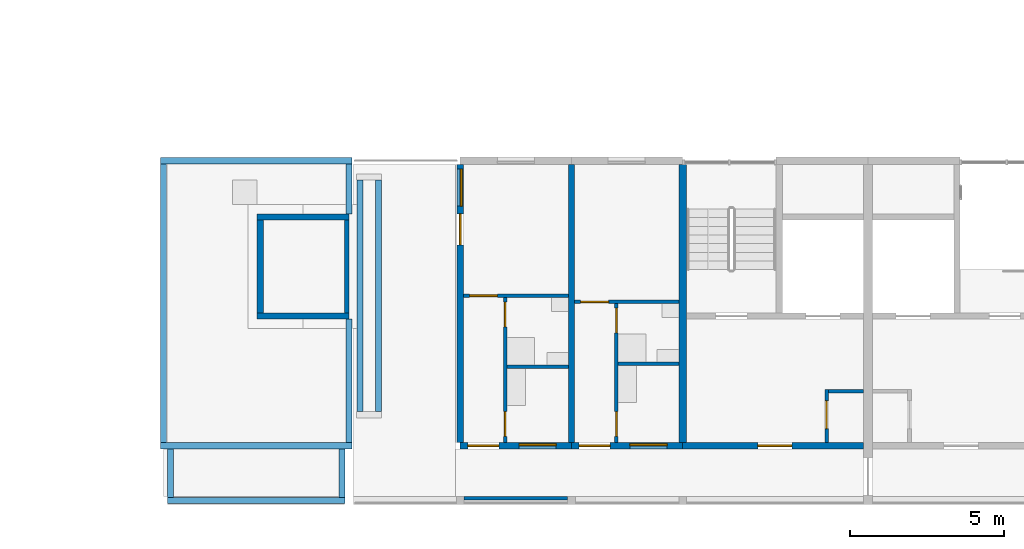
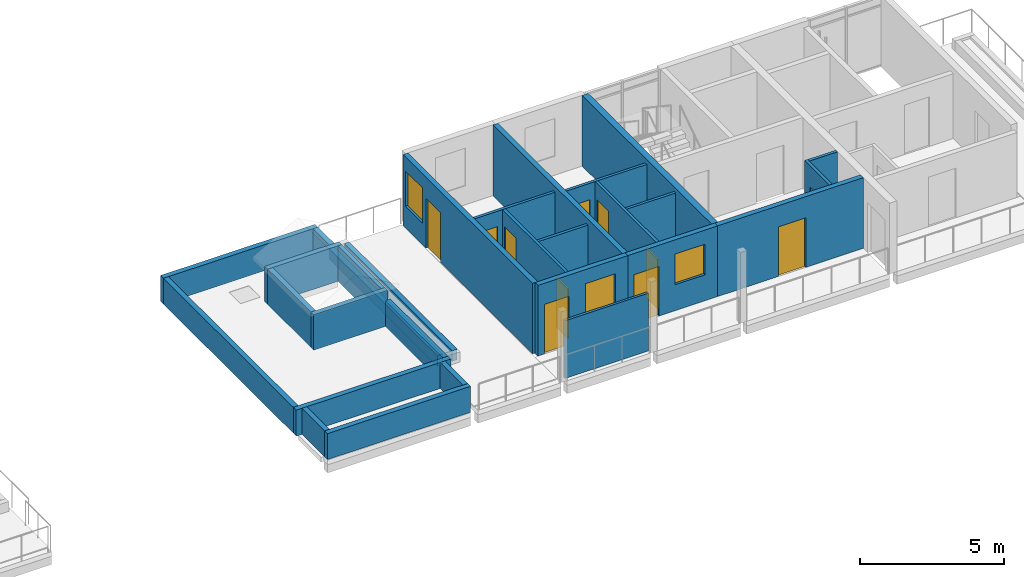
# One storey, part 20 of 41: 29 walls, 11 doors, 3 windows, 14 openings.
"""IFC4 building model written with IfcOpenShell, lengths in metres."""

import ifcopenshell
import ifcopenshell.guid

model = None  # the IFC model being written
_history = None  # IfcOwnerHistory: only IFC2X3 demands one
_inside = {}  # id of a spatial element -> (the spatial element, [elements in it])
_under = {}  # id of a project, library or spatial element -> (it, [spatial elements below it])
_declared = {}  # id of a project -> (the project, [libraries it declares])
_typed = {}  # id of a type object -> (the type object, [elements of that type])
_made_of = {}  # id of a material, layer set ... -> (it, [elements and type objects made of it])


def new_model(schema):
    """Start an empty IFC model of exactly this schema.

    Asked for "IFC4X3", IfcOpenShell would pick the latest addendum, in which some entities
    have other attributes; the version numbers below select the first issue.
    IFC2X3 requires an IfcOwnerHistory on every rooted entity: one is made here for all.
    """
    global model, _history
    if schema == "IFC4X3":
        model = ifcopenshell.file(schema_version=(4, 3, 0, 0))
    else:
        model = ifcopenshell.file(schema=schema)
    _inside.clear()
    _under.clear()
    _declared.clear()
    _typed.clear()
    _made_of.clear()
    _history = None
    if model.schema == "IFC2X3":
        org = make("IfcOrganization", Name="unknown")
        user = make(
            "IfcPersonAndOrganization",
            ThePerson=make("IfcPerson", FamilyName="unknown"),
            TheOrganization=org,
        )
        app = make(
            "IfcApplication",
            ApplicationDeveloper=org,
            Version="unknown",
            ApplicationFullName="unknown",
            ApplicationIdentifier="unknown",
        )
        _history = make(
            "IfcOwnerHistory",
            OwningUser=user,
            OwningApplication=app,
            ChangeAction="ADDED",
            CreationDate=0,
        )
    return model


def make(cls, **values):
    """One entity of the class cls with the attributes given. An attribute that is None is left unset."""
    return model.create_entity(
        cls, **{name: value for name, value in values.items() if value is not None}
    )


def rooted(cls, **values):
    """An entity with a GlobalId (a new one), such as an element, a storey or a relation."""
    return make(cls, GlobalId=ifcopenshell.guid.new(), OwnerHistory=_history, **values)


def si_unit(unit_type, name, prefix=None):
    """IfcSIUnit, for example si_unit("LENGTHUNIT", "METRE", prefix="MILLI")."""
    return make("IfcSIUnit", UnitType=unit_type, Prefix=prefix, Name=name)


def assignment(units):
    """IfcUnitAssignment: the units of a project."""
    return None if units is None else make("IfcUnitAssignment", Units=units)


def point(xyz):
    """IfcCartesianPoint."""
    return None if xyz is None else make("IfcCartesianPoint", Coordinates=xyz)


def direction(xyz):
    """IfcDirection."""
    return None if xyz is None else make("IfcDirection", DirectionRatios=xyz)


def frame(location, z_axis=None, x_axis=None):
    """IfcAxis2Placement3D, a coordinate frame: its origin and axes. An axis left out is left unset."""
    return make(
        "IfcAxis2Placement3D",
        Location=point(location),
        Axis=direction(z_axis),
        RefDirection=direction(x_axis),
    )


def frame_2d(location, x_axis=None):
    """IfcAxis2Placement2D, a coordinate frame in the plane: its origin and x axis."""
    return make(
        "IfcAxis2Placement2D", Location=point(location), RefDirection=direction(x_axis)
    )


def origin():
    """The frame at (0, 0, 0) with its axes left unset."""
    return frame((0.0, 0.0, 0.0))


def place(relative_to, where):
    """IfcLocalPlacement: puts the frame where relative to a parent placement (None: the world)."""
    return make(
        "IfcLocalPlacement", PlacementRelTo=relative_to, RelativePlacement=where
    )


def context(
    kind, dimensions, precision=None, world=None, true_north=None, identifier=None
):
    """IfcGeometricRepresentationContext, for example the 3D "Model" context."""
    return make(
        "IfcGeometricRepresentationContext",
        ContextIdentifier=identifier,
        ContextType=kind,
        CoordinateSpaceDimension=dimensions,
        Precision=precision,
        WorldCoordinateSystem=world,
        TrueNorth=true_north,
    )


def subcontext(parent, identifier, kind, view, scale=None):
    """IfcGeometricRepresentationSubContext, for example "Body" below "Model"."""
    return make(
        "IfcGeometricRepresentationSubContext",
        ContextIdentifier=identifier,
        ContextType=kind,
        ParentContext=parent,
        TargetScale=scale,
        TargetView=view,
    )


def project(units=None, contexts=None):
    """IfcProject with its units and contexts."""
    return rooted(
        "IfcProject",
        Name="project",
        RepresentationContexts=contexts,
        UnitsInContext=assignment(units),
    )


def spatial(cls, under=None, at=None, **own):
    """A site, building, storey or space (cls), placed at a placement, below another one or the project."""
    s = rooted(cls, ObjectPlacement=at, **own)
    if under is not None:
        _under.setdefault(under.id(), (under, []))[1].append(s)
    return s


def profile(cls, at=None, kind="AREA", **sizes):
    """A parametric profile (cls). Its sizes go by their IFC names, for example OverallWidth=200.0."""
    return make(cls, ProfileType=kind, Position=at, **sizes)


def rectangle(**sizes):
    """IfcRectangleProfileDef."""
    return profile("IfcRectangleProfileDef", **sizes)


def extrude(swept, where, along, depth):
    """IfcExtrudedAreaSolid: the profile swept, set in the frame where, extruded along a direction by depth."""
    return make(
        "IfcExtrudedAreaSolid",
        SweptArea=swept,
        Position=where,
        ExtrudedDirection=direction(along),
        Depth=depth,
    )


def shape(context_of_items, identifier, shape_type, items):
    """IfcShapeRepresentation: the items that make up one representation, for example the "Body"."""
    return make(
        "IfcShapeRepresentation",
        ContextOfItems=context_of_items,
        RepresentationIdentifier=identifier,
        RepresentationType=shape_type,
        Items=items,
    )


def material(Name=None, Category=None):
    """IfcMaterial."""
    return make("IfcMaterial", Name=Name, Category=Category)


def layer(
    of_material, thickness, ventilated=None, Name=None, Category=None, Priority=None
):
    """IfcMaterialLayer: one layer of a wall or slab, of a material (None: an air gap)."""
    return make(
        "IfcMaterialLayer",
        Material=of_material,
        LayerThickness=thickness,
        IsVentilated=ventilated,
        Name=Name,
        Category=Category,
        Priority=Priority,
    )


def layer_set(layers, Name=None):
    """IfcMaterialLayerSet."""
    return make("IfcMaterialLayerSet", MaterialLayers=layers, LayerSetName=Name)


def made_of(thing, what):
    """Note that an element or type object is made of a material, layer set ...; save() writes the relation."""
    if what is not None:
        _made_of.setdefault(what.id(), (what, []))[1].append(thing)
    return thing


def type_object(cls, material=None, **own):
    """A type object (cls), such as IfcWallType, which elements share."""
    return made_of(rooted(cls, **own), material)


def element(
    cls,
    number,
    at=None,
    inside=None,
    cuts=None,
    type_object=None,
    material=None,
    context=None,
    identifier="Body",
    shape_type=None,
    held_by="IfcProductDefinitionShape",
    body=None,
    shapes=None,
    **own,
):
    """One element of the class cls, such as IfcWall. Its Tag is "e" and its number.

    at: its placement. inside: the storey or other place that contains it. cuts: it is an
    opening in that element (IfcRelVoidsElement). A single representation is given by context,
    identifier, shape_type and body (its items); several are given by shapes. held_by: the class
    of the entity that holds the representations. save() writes the other relations.
    """
    e = rooted(cls, Tag="e%d" % number, ObjectPlacement=at, **own)
    if body is not None:
        shapes = [shape(context, identifier, shape_type, body)]
    if shapes is not None:
        e.Representation = make(held_by, Representations=shapes)
    if inside is not None:
        _inside.setdefault(inside.id(), (inside, []))[1].append(e)
    if cuts is not None:
        rooted(
            "IfcRelVoidsElement", RelatingBuildingElement=cuts, RelatedOpeningElement=e
        )
    if type_object is not None:
        _typed.setdefault(type_object.id(), (type_object, []))[1].append(e)
    return made_of(e, material)


def fill(opening, filler):
    """IfcRelFillsElement: the door or window that sits in an opening."""
    return rooted(
        "IfcRelFillsElement",
        RelatingOpeningElement=opening,
        RelatedBuildingElement=filler,
    )


def aggregate(whole, parts):
    """IfcRelAggregates: a whole, such as a stair, and the parts it consists of."""
    return rooted("IfcRelAggregates", RelatingObject=whole, RelatedObjects=parts)


def save(model, path):
    """Write the relations noted so far, then the file.

    IfcRelAggregates (storeys below a building ...), IfcRelContainedInSpatialStructure (elements
    in a storey), IfcRelDefinesByType, IfcRelAssociatesMaterial and IfcRelDeclares: one each for
    every whole, place, type object, material and project.
    """
    for whole, parts in _under.values():
        aggregate(whole, parts)
    for where, things in _inside.values():
        rooted(
            "IfcRelContainedInSpatialStructure",
            RelatedElements=things,
            RelatingStructure=where,
        )
    for kind, things in _typed.values():
        rooted("IfcRelDefinesByType", RelatedObjects=things, RelatingType=kind)
    for what, things in _made_of.values():
        rooted("IfcRelAssociatesMaterial", RelatedObjects=things, RelatingMaterial=what)
    for by, libraries in _declared.values():
        rooted("IfcRelDeclares", RelatingContext=by, RelatedDefinitions=libraries)
    model.write(path)


model = new_model("IFC4")

# Units and contexts
model_context = context("Model", 3, precision=1e-05, world=origin(), true_north=direction((0.0, 1.0)))
body_context = subcontext(model_context, "Body", "Model", "MODEL_VIEW")
ifc_project = project(units=[si_unit("LENGTHUNIT", "METRE"), si_unit("AREAUNIT", "SQUARE_METRE"), si_unit("VOLUMEUNIT", "CUBIC_METRE"), si_unit("PLANEANGLEUNIT", "RADIAN"), si_unit("MASSUNIT", "GRAM", prefix="KILO")], contexts=[model_context])

# Site, building, storey
site_placement = place(None, origin())
site = spatial("IfcSite", under=ifc_project, at=site_placement, CompositionType="ELEMENT")
building_placement = place(site_placement, origin())
building = spatial("IfcBuilding", under=site, at=building_placement, Name="Ridgestep Commons", CompositionType="ELEMENT")
storey_placement = place(building_placement, frame((0.0, 0.0, 39.0)))
storey = spatial("IfcBuildingStorey", under=building, at=storey_placement, Name="L13", CompositionType="ELEMENT", Elevation=39.0)

# Wall
ifc_material_1 = material(Name="Concrete C30/37", Category="concrete")
ifc_layer_1 = layer(ifc_material_1, 0.25)
ifc_layer_set_1 = layer_set([ifc_layer_1], Name="Core cross wall 250")
wall_type_1 = type_object("IfcWallType", Name="Core cross wall 250", PredefinedType="SHEAR", material=ifc_layer_set_1)
wall_1_placement = place(storey_placement, frame((90.0, 13.75, 0.0), z_axis=(0.0, 0.0, 1.0), x_axis=(0.0, 1.0, 0.0)))
element("IfcWall", 1, at=wall_1_placement, inside=storey, type_object=wall_type_1, Name="Cross wall A-13-0900", PredefinedType="SHEAR", context=body_context, shape_type="SweptSolid", body=[
    extrude(rectangle(XDim=9.0, YDim=0.25, at=frame_2d((4.5, 0.0))), origin(), (0.0, 0.0, 1.0), 3.0),
])

# Wall, opening, door
ifc_material_2 = material(Name="Concrete C30/37", Category="concrete")
ifc_layer_2 = layer(ifc_material_2, 0.199951171875)
ifc_layer_set_2 = layer_set([ifc_layer_2], Name="Core south wall 200")
wall_type_2 = type_object("IfcWallType", Name="Core south wall 200", PredefinedType="SHEAR", material=ifc_layer_set_2)
wall_2_placement = place(storey_placement, frame((90.0, 13.64990234375, 0.0), z_axis=(0.0, 0.0, 1.0), x_axis=(1.0, 0.0, 0.0)))
wall_2 = element("IfcWall", 2, at=wall_2_placement, inside=storey, type_object=wall_type_2, Name="Core south wall A5C L13", PredefinedType="SHEAR", context=body_context, shape_type="SweptSolid", body=[
    extrude(rectangle(XDim=5.85009765625, YDim=0.199951171875, at=frame_2d((2.925048828125, 0.0))), origin(), (0.0, 0.0, 1.0), 3.0),
])
opening_1_placement = place(wall_2_placement, frame((2.4375, 0.0, 0.0)))
opening_1 = element("IfcOpeningElement", 3, at=opening_1_placement, cuts=wall_2, Name="Opening A5C/13/1", PredefinedType="OPENING", context=body_context, shape_type="SweptSolid", body=[
    extrude(rectangle(XDim=1.10009765625, YDim=2.10009765625, at=frame_2d((0.550048828125, 1.050048828125))), frame((0.0, 0.10986328125, 0.0), z_axis=(0.0, -1.0, 0.0), x_axis=(1.0, 0.0, 0.0)), (0.0, 0.0, 1.0), 0.219970703125),
])
ifc_material_3 = material(Name="Steel fire door", Category="steel")
door_type_1 = type_object("IfcDoorType", Name="Lobby door 1100 x 2100 FD60", OperationType="NOTDEFINED", PredefinedType="DOOR", material=ifc_material_3)
door_1_placement = place(opening_1_placement, origin())
door_1 = element("IfcDoor", 4, at=door_1_placement, inside=storey, type_object=door_type_1, Name="Lobby door A5C/13/1", OperationType="SINGLE_SWING_LEFT", OverallHeight=2.10009765625, OverallWidth=1.10009765625, PredefinedType="DOOR", context=body_context, shape_type="SweptSolid", body=[
    extrude(rectangle(XDim=1.10009765625, YDim=2.10009765625, at=frame_2d((0.550048828125, 1.050048828125))), frame((0.0, 0.02490234375, 0.0), z_axis=(0.0, -1.0, 0.0), x_axis=(1.0, 0.0, 0.0)), (0.0, 0.0, 1.0), 0.050048828125),
])
fill(opening_1, door_1)

ifc_material_4 = material(Name="Concrete C30/37", Category="concrete")
ifc_layer_3 = layer(ifc_material_4, 0.1201171875)
ifc_layer_set_3 = layer_set([ifc_layer_3], Name="Core wall 120")
wall_type_3 = type_object("IfcWallType", Name="Core wall 120", PredefinedType="SHEAR", material=ifc_layer_set_3)
wall_3_placement = place(storey_placement, frame((94.659912109375, 13.75, 0.0), z_axis=(0.0, 0.0, 1.0), x_axis=(0.0, 1.0, 0.0)))
wall_3 = element("IfcWall", 5, at=wall_3_placement, inside=storey, type_object=wall_type_3, Name="Core riser w wall A5C L13", PredefinedType="SHEAR", context=body_context, shape_type="SweptSolid", body=[
    extrude(rectangle(XDim=1.719970703125, YDim=0.1201171875, at=frame_2d((0.85986328125, 0.0))), origin(), (0.0, 0.0, 1.0), 3.0),
])
opening_2_placement = place(wall_3_placement, frame((0.449951171875, 0.0, 0.0)))
opening_2 = element("IfcOpeningElement", 6, at=opening_2_placement, cuts=wall_3, Name="Opening A5C/13/4", PredefinedType="OPENING", context=body_context, shape_type="SweptSolid", body=[
    extrude(rectangle(XDim=0.89990234375, YDim=2.10009765625, at=frame_2d((0.449951171875, 1.050048828125))), frame((0.0, 0.070068359375, 0.0), z_axis=(0.0, -1.0, 0.0), x_axis=(1.0, 0.0, 0.0)), (0.0, 0.0, 1.0), 0.14013671875),
])
ifc_material_5 = material(Name="Steel fire door", Category="steel")
door_type_2 = type_object("IfcDoorType", Name="Riser door 900 x 2100 FD60", OperationType="NOTDEFINED", PredefinedType="DOOR", material=ifc_material_5)
door_2_placement = place(opening_2_placement, origin())
door_2 = element("IfcDoor", 7, at=door_2_placement, inside=storey, type_object=door_type_2, Name="Riser door A5C/13/4", OperationType="SINGLE_SWING_LEFT", OverallHeight=2.10009765625, OverallWidth=0.89990234375, PredefinedType="DOOR", context=body_context, shape_type="SweptSolid", body=[
    extrude(rectangle(XDim=0.89990234375, YDim=2.10009765625, at=frame_2d((0.449951171875, 1.050048828125))), frame((0.0, 0.02490234375, 0.0), z_axis=(0.0, -1.0, 0.0), x_axis=(1.0, 0.0, 0.0)), (0.0, 0.0, 1.0), 0.050048828125),
])
fill(opening_2, door_2)

# Walls
wall_4_placement = place(storey_placement, frame((94.719970703125, 15.409912109375, 0.0), z_axis=(0.0, 0.0, 1.0), x_axis=(1.0, 0.0, 0.0)))
element("IfcWall", 8, at=wall_4_placement, inside=storey, type_object=wall_type_3, Name="Core riser n wall A5C L13", PredefinedType="SHEAR", context=body_context, shape_type="SweptSolid", body=[
    extrude(rectangle(XDim=1.130126953125, YDim=0.1201171875, at=frame_2d((0.56494140625, 0.0))), origin(), (0.0, 0.0, 1.0), 3.0),
])
ifc_material_6 = material(Name="Precast concrete C40/50", Category="concrete")
ifc_layer_4 = layer(ifc_material_6, 0.199951171875)
ifc_layer_set_4 = layer_set([ifc_layer_4], Name="Cross wall 200")
wall_type_4 = type_object("IfcWallType", Name="Cross wall 200", PredefinedType="SHEAR", material=ifc_layer_set_4)
wall_5_placement = place(storey_placement, frame((86.39990234375, 13.75, 0.0), z_axis=(0.0, 0.0, 1.0), x_axis=(0.0, 1.0, 0.0)))
element("IfcWall", 9, at=wall_5_placement, inside=storey, type_object=wall_type_4, Name="Cross wall A-13-0864", PredefinedType="SHEAR", context=body_context, shape_type="SweptSolid", body=[
    extrude(rectangle(XDim=9.0, YDim=0.199951171875, at=frame_2d((4.5, 0.0))), origin(), (0.0, 0.0, 1.0), 3.0),
])

# Wall, openings, window, door
ifc_material_7 = material(Name="Precast concrete C40/50", Category="concrete")
ifc_layer_5 = layer(ifc_material_7, 0.199951171875)
ifc_layer_set_5 = layer_set([ifc_layer_5], Name="Exposed cross wall 200")
wall_type_5 = type_object("IfcWallType", Name="Exposed cross wall 200", PredefinedType="SHEAR", material=ifc_layer_set_5)
wall_6_placement = place(storey_placement, frame((82.800048828125, 13.75, 0.0), z_axis=(0.0, 0.0, 1.0), x_axis=(0.0, 1.0, 0.0)))
wall_6 = element("IfcWall", 10, at=wall_6_placement, inside=storey, type_object=wall_type_5, Name="Cross wall A-13-0828", PredefinedType="SHEAR", context=body_context, shape_type="SweptSolid", body=[
    extrude(rectangle(XDim=9.0, YDim=0.199951171875, at=frame_2d((4.5, 0.0))), origin(), (0.0, 0.0, 1.0), 3.0),
])
opening_3_placement = place(wall_6_placement, frame((7.652587890625, 0.0, 0.89990234375)))
opening_3 = element("IfcOpeningElement", 11, at=opening_3_placement, cuts=wall_6, Name="Opening W10", PredefinedType="OPENING", context=body_context, shape_type="SweptSolid", body=[
    extrude(rectangle(XDim=1.199951171875, YDim=1.5, at=frame_2d((0.60009765625, 0.75))), frame((0.0, 0.10986328125, 0.0), z_axis=(0.0, -1.0, 0.0), x_axis=(1.0, 0.0, 0.0)), (0.0, 0.0, 1.0), 0.219970703125),
])
opening_4_placement = place(wall_6_placement, frame((6.405029296875, 0.0, 0.0)))
opening_4 = element("IfcOpeningElement", 12, at=opening_4_placement, cuts=wall_6, Name="Opening A5-13a/5", PredefinedType="OPENING", context=body_context, shape_type="SweptSolid", body=[
    extrude(rectangle(XDim=1.0, YDim=2.10009765625, at=frame_2d((0.5, 1.050048828125))), frame((0.0, 0.10986328125, 0.0), z_axis=(0.0, -1.0, 0.0), x_axis=(1.0, 0.0, 0.0)), (0.0, 0.0, 1.0), 0.219970703125),
])
ifc_material_8 = material(Name="Aluminium 6063-T6 and glass", Category="aluminium")
window_type_1 = type_object("IfcWindowType", Name="Flat window 1200 x 1500", PartitioningType="SINGLE_PANEL", PredefinedType="WINDOW", material=ifc_material_8)
window_1_placement = place(opening_3_placement, origin())
window_1 = element("IfcWindow", 13, at=window_1_placement, inside=storey, type_object=window_type_1, Name="Window A5-13a 3", OverallHeight=1.5, OverallWidth=1.199951171875, PartitioningType="SINGLE_PANEL", PredefinedType="WINDOW", context=body_context, shape_type="SweptSolid", body=[
    extrude(rectangle(XDim=1.199951171875, YDim=1.5, at=frame_2d((0.60009765625, 0.75))), frame((0.0, 0.0, 0.0), z_axis=(0.0, -1.0, 0.0), x_axis=(1.0, 0.0, 0.0)), (0.0, 0.0, 1.0), 0.06005859375),
])
fill(opening_3, window_1)
ifc_material_9 = material(Name="Aluminium and glass", Category="aluminium")
door_type_3 = type_object("IfcDoorType", Name="Terrace door 1000 x 2100", OperationType="NOTDEFINED", PredefinedType="DOOR", material=ifc_material_9)
door_3_placement = place(opening_4_placement, origin())
door_3 = element("IfcDoor", 14, at=door_3_placement, inside=storey, type_object=door_type_3, Name="Terrace door A5-13a/5", OperationType="SINGLE_SWING_RIGHT", OverallHeight=2.10009765625, OverallWidth=1.0, PredefinedType="DOOR", context=body_context, shape_type="SweptSolid", body=[
    extrude(rectangle(XDim=1.0, YDim=2.10009765625, at=frame_2d((0.5, 1.050048828125))), frame((0.0, 0.02490234375, 0.0), z_axis=(0.0, -1.0, 0.0), x_axis=(1.0, 0.0, 0.0)), (0.0, 0.0, 1.0), 0.050048828125),
])
fill(opening_4, door_3)

# Walls
ifc_material_10 = material(Name="Concrete C30/37", Category="concrete")
ifc_layer_6 = layer(ifc_material_10, 0.14990234375)
ifc_layer_set_6 = layer_set([ifc_layer_6], Name="Lift overrun wall 150")
wall_type_6 = type_object("IfcWallType", Name="Lift overrun wall 150", PredefinedType="SHEAR", material=ifc_layer_set_6)
wall_7_placement = place(storey_placement, frame((79.125, 17.949951171875, 0.0), z_axis=(0.0, 0.0, 1.0), x_axis=(0.0, 1.0, 0.0)))
element("IfcWall", 15, at=wall_7_placement, inside=storey, type_object=wall_type_6, Name="Lift overrun wall A4C", PredefinedType="SHEAR", context=body_context, shape_type="SweptSolid", body=[
    extrude(rectangle(XDim=3.0, YDim=0.14990234375, at=frame_2d((1.5, 0.0))), origin(), (0.0, 0.0, 1.0), 1.5),
])
ifc_material_11 = material(Name="Concrete C30/37", Category="concrete")
ifc_layer_7 = layer(ifc_material_11, 0.199951171875)
ifc_layer_set_7 = layer_set([ifc_layer_7], Name="Lift overrun wall 200")
wall_type_7 = type_object("IfcWallType", Name="Lift overrun wall 200", PredefinedType="SHEAR", material=ifc_layer_set_7)
for number, where, z_axis, x_axis, name in (
    (16, (76.22509765625, 17.85009765625, 0.0), (0.0, 0.0, 1.0), (1.0, 0.0, 0.0), "Lift overrun wall A4C"),
    (17, (76.22509765625, 21.050048828125, 0.0), (0.0, 0.0, 1.0), (1.0, 0.0, 0.0), "Lift overrun wall A4C"),
):
    element("IfcWall", number, at=place(storey_placement, frame(where, z_axis=z_axis, x_axis=x_axis)), inside=storey, type_object=wall_type_7, Name=name, PredefinedType="SHEAR", context=body_context, shape_type="SweptSolid", body=[
        extrude(rectangle(XDim=2.974853515625, YDim=0.199951171875, at=frame_2d((1.4873046875, 0.0))), origin(), (0.0, 0.0, 1.0), 1.5),
    ])
wall_8_placement = place(storey_placement, frame((76.324951171875, 17.949951171875, 0.0), z_axis=(0.0, 0.0, 1.0), x_axis=(0.0, 1.0, 0.0)))
element("IfcWall", 18, at=wall_8_placement, inside=storey, type_object=wall_type_7, Name="Lift overrun wall A4C", PredefinedType="SHEAR", context=body_context, shape_type="SweptSolid", body=[
    extrude(rectangle(XDim=3.0, YDim=0.199951171875, at=frame_2d((1.5, 0.0))), origin(), (0.0, 0.0, 1.0), 1.5),
])
ifc_material_12 = material(Name="Precast concrete C40/50", Category="concrete")
ifc_layer_8 = layer(ifc_material_12, 0.199951171875)
ifc_layer_set_8 = layer_set([ifc_layer_8], Name="Parapet wall 200")
wall_type_8 = type_object("IfcWallType", Name="Parapet wall 200", PredefinedType="PARAPET", material=ifc_layer_set_8)
for number, where, z_axis, x_axis, name in (
    (19, (73.10009765625, 22.875, 0.0), (0.0, 0.0, 1.0), (1.0, 0.0, 0.0), "Parapet A4C north"),
    (20, (73.10009765625, 13.64990234375, 0.0), (0.0, 0.0, 1.0), (1.0, 0.0, 0.0), "Parapet A4C south"),
):
    element("IfcWall", number, at=place(storey_placement, frame(where, z_axis=z_axis, x_axis=x_axis)), inside=storey, type_object=wall_type_8, Name=name, PredefinedType="PARAPET", context=body_context, shape_type="SweptSolid", body=[
        extrude(rectangle(XDim=6.199951171875, YDim=0.199951171875, at=frame_2d((3.10009765625, 0.0))), origin(), (0.0, 0.0, 1.0), 1.10009765625),
    ])
wall_9_placement = place(storey_placement, frame((73.199951171875, 13.75, 0.0), z_axis=(0.0, 0.0, 1.0), x_axis=(0.0, 1.0, 0.0)))
element("IfcWall", 21, at=wall_9_placement, inside=storey, type_object=wall_type_8, Name="Parapet A4C west", PredefinedType="PARAPET", context=body_context, shape_type="SweptSolid", body=[
    extrude(rectangle(XDim=9.02490234375, YDim=0.199951171875, at=frame_2d((4.512451171875, 0.0))), origin(), (0.0, 0.0, 1.0), 1.10009765625),
])
wall_10_placement = place(storey_placement, frame((79.199951171875, 13.75, 0.0), z_axis=(0.0, 0.0, 1.0), x_axis=(0.0, 1.0, 0.0)))
element("IfcWall", 22, at=wall_10_placement, inside=storey, type_object=wall_type_8, Name="Parapet A4C east", PredefinedType="PARAPET", context=body_context, shape_type="SweptSolid", body=[
    extrude(rectangle(XDim=4.0, YDim=0.199951171875, at=frame_2d((2.0, 0.0))), origin(), (0.0, 0.0, 1.0), 1.10009765625),
])
wall_11_placement = place(storey_placement, frame((79.199951171875, 21.14990234375, 0.0), z_axis=(0.0, 0.0, 1.0), x_axis=(0.0, 1.0, 0.0)))
element("IfcWall", 23, at=wall_11_placement, inside=storey, type_object=wall_type_8, Name="Parapet A4C east", PredefinedType="PARAPET", context=body_context, shape_type="SweptSolid", body=[
    extrude(rectangle(XDim=1.625, YDim=0.199951171875, at=frame_2d((0.8125, 0.0))), origin(), (0.0, 0.0, 1.0), 1.10009765625),
])
wall_12_placement = place(storey_placement, frame((73.324951171875, 11.875, 0.0), z_axis=(0.0, 0.0, 1.0), x_axis=(1.0, 0.0, 0.0)))
element("IfcWall", 24, at=wall_12_placement, inside=storey, type_object=wall_type_8, Name="Parapet A4C gallery south", PredefinedType="PARAPET", context=body_context, shape_type="SweptSolid", body=[
    extrude(rectangle(XDim=5.75, YDim=0.199951171875, at=frame_2d((2.875, 0.0))), origin(), (0.0, 0.0, 1.0), 1.10009765625),
])
for number, where, z_axis, x_axis, name in (
    (25, (73.425048828125, 11.97509765625, 0.0), (0.0, 0.0, 1.0), (0.0, 1.0, 0.0), "Parapet A4C gallery west"),
    (26, (78.97509765625, 11.97509765625, 0.0), (0.0, 0.0, 1.0), (0.0, 1.0, 0.0), "Parapet A4C gallery east"),
):
    element("IfcWall", number, at=place(storey_placement, frame(where, z_axis=z_axis, x_axis=x_axis)), inside=storey, type_object=wall_type_8, Name=name, PredefinedType="PARAPET", context=body_context, shape_type="SweptSolid", body=[
        extrude(rectangle(XDim=1.574951171875, YDim=0.199951171875, at=frame_2d((0.78759765625, 0.0))), origin(), (0.0, 0.0, 1.0), 1.10009765625),
    ])

# Wall, openings, doors
ifc_material_13 = material(Name="Common brick 110 mm", Category="masonry")
ifc_layer_9 = layer(ifc_material_13, 0.110107421875)
ifc_layer_set_9 = layer_set([ifc_layer_9], Name="Partition 110")
wall_type_9 = type_object("IfcWallType", Name="Partition 110", PredefinedType="PARTITIONING", material=ifc_layer_set_9)
wall_13_placement = place(storey_placement, frame((84.2548828125, 13.75, 0.0), z_axis=(0.0, 0.0, 1.0), x_axis=(0.0, 1.0, 0.0)))
wall_13 = element("IfcWall", 27, at=wall_13_placement, inside=storey, type_object=wall_type_9, Name="Partition A5-13a", PredefinedType="PARTITIONING", context=body_context, shape_type="SweptSolid", body=[
    extrude(rectangle(XDim=4.699951171875, YDim=0.110107421875, at=frame_2d((2.35009765625, 0.0))), origin(), (0.0, 0.0, 1.0), 2.75),
])
opening_5_placement = place(wall_13_placement, frame((0.199951171875, 0.0, 0.0)))
opening_5 = element("IfcOpeningElement", 28, at=opening_5_placement, cuts=wall_13, Name="Opening A5-13a/2", PredefinedType="OPENING", context=body_context, shape_type="SweptSolid", body=[
    extrude(rectangle(XDim=0.800048828125, YDim=2.10009765625, at=frame_2d((0.39990234375, 1.050048828125))), frame((0.0, 0.06494140625, 0.0), z_axis=(0.0, -1.0, 0.0), x_axis=(1.0, 0.0, 0.0)), (0.0, 0.0, 1.0), 0.130126953125),
])
opening_6_placement = place(wall_13_placement, frame((3.75, 0.0, 0.0)))
opening_6 = element("IfcOpeningElement", 29, at=opening_6_placement, cuts=wall_13, Name="Opening A5-13a/3", PredefinedType="OPENING", context=body_context, shape_type="SweptSolid", body=[
    extrude(rectangle(XDim=0.800048828125, YDim=2.10009765625, at=frame_2d((0.39990234375, 1.050048828125))), frame((0.0, 0.06494140625, 0.0), z_axis=(0.0, -1.0, 0.0), x_axis=(1.0, 0.0, 0.0)), (0.0, 0.0, 1.0), 0.130126953125),
])
ifc_material_14 = material(Name="Timber door leaf", Category="wood")
door_type_4 = type_object("IfcDoorType", Name="Internal door 800 x 2100", OperationType="NOTDEFINED", PredefinedType="DOOR", material=ifc_material_14)
door_4_placement = place(opening_5_placement, origin())
door_4 = element("IfcDoor", 30, at=door_4_placement, inside=storey, type_object=door_type_4, Name="Internal door A5-13a/2", OperationType="SINGLE_SWING_RIGHT", OverallHeight=2.10009765625, OverallWidth=0.800048828125, PredefinedType="DOOR", context=body_context, shape_type="SweptSolid", body=[
    extrude(rectangle(XDim=0.800048828125, YDim=2.10009765625, at=frame_2d((0.39990234375, 1.050048828125))), frame((0.0, 0.02490234375, 0.0), z_axis=(0.0, -1.0, 0.0), x_axis=(1.0, 0.0, 0.0)), (0.0, 0.0, 1.0), 0.050048828125),
])
fill(opening_5, door_4)
door_5_placement = place(opening_6_placement, origin())
door_5 = element("IfcDoor", 31, at=door_5_placement, inside=storey, type_object=door_type_4, Name="Internal door A5-13a/3", OperationType="SINGLE_SWING_LEFT", OverallHeight=2.10009765625, OverallWidth=0.800048828125, PredefinedType="DOOR", context=body_context, shape_type="SweptSolid", body=[
    extrude(rectangle(XDim=0.800048828125, YDim=2.10009765625, at=frame_2d((0.39990234375, 1.050048828125))), frame((0.0, 0.02490234375, 0.0), z_axis=(0.0, -1.0, 0.0), x_axis=(1.0, 0.0, 0.0)), (0.0, 0.0, 1.0), 0.050048828125),
])
fill(opening_6, door_5)

# Wall
wall_14_placement = place(storey_placement, frame((84.31005859375, 16.205078125, 0.0), z_axis=(0.0, 0.0, 1.0), x_axis=(1.0, 0.0, 0.0)))
element("IfcWall", 32, at=wall_14_placement, inside=storey, type_object=wall_type_9, Name="Partition A5-13a", PredefinedType="PARTITIONING", context=body_context, shape_type="SweptSolid", body=[
    extrude(rectangle(XDim=1.989990234375, YDim=0.110107421875, at=frame_2d((0.9951171875, 0.0))), origin(), (0.0, 0.0, 1.0), 2.75),
])

# Wall, opening, door
wall_15_placement = place(storey_placement, frame((82.89990234375, 18.5048828125, 0.0), z_axis=(0.0, 0.0, 1.0), x_axis=(1.0, 0.0, 0.0)))
wall_15 = element("IfcWall", 33, at=wall_15_placement, inside=storey, type_object=wall_type_9, Name="Partition A5-13a", PredefinedType="PARTITIONING", context=body_context, shape_type="SweptSolid", body=[
    extrude(rectangle(XDim=3.400146484375, YDim=0.110107421875, at=frame_2d((1.7001953125, 0.0))), origin(), (0.0, 0.0, 1.0), 2.75),
])
opening_7_placement = place(wall_15_placement, frame((0.199951171875, 0.0, 0.0)))
opening_7 = element("IfcOpeningElement", 34, at=opening_7_placement, cuts=wall_15, Name="Opening A5-13a/4", PredefinedType="OPENING", context=body_context, shape_type="SweptSolid", body=[
    extrude(rectangle(XDim=0.89990234375, YDim=2.10009765625, at=frame_2d((0.449951171875, 1.050048828125))), frame((0.0, 0.06494140625, 0.0), z_axis=(0.0, -1.0, 0.0), x_axis=(1.0, 0.0, 0.0)), (0.0, 0.0, 1.0), 0.130126953125),
])
ifc_material_15 = material(Name="Timber door leaf", Category="wood")
door_type_5 = type_object("IfcDoorType", Name="Internal door 900 x 2100", OperationType="NOTDEFINED", PredefinedType="DOOR", material=ifc_material_15)
door_6_placement = place(opening_7_placement, origin())
door_6 = element("IfcDoor", 35, at=door_6_placement, inside=storey, type_object=door_type_5, Name="Internal door A5-13a/4", OperationType="SINGLE_SWING_LEFT", OverallHeight=2.10009765625, OverallWidth=0.89990234375, PredefinedType="DOOR", context=body_context, shape_type="SweptSolid", body=[
    extrude(rectangle(XDim=0.89990234375, YDim=2.10009765625, at=frame_2d((0.449951171875, 1.050048828125))), frame((0.0, 0.02490234375, 0.0), z_axis=(0.0, -1.0, 0.0), x_axis=(1.0, 0.0, 0.0)), (0.0, 0.0, 1.0), 0.050048828125),
])
fill(opening_7, door_6)

# Wall, openings, doors
wall_16_placement = place(storey_placement, frame((87.85498046875, 13.75, 0.0), z_axis=(0.0, 0.0, 1.0), x_axis=(0.0, 1.0, 0.0)))
wall_16 = element("IfcWall", 36, at=wall_16_placement, inside=storey, type_object=wall_type_9, Name="Partition A5-13b", PredefinedType="PARTITIONING", context=body_context, shape_type="SweptSolid", body=[
    extrude(rectangle(XDim=4.5, YDim=0.110107421875, at=frame_2d((2.25, 0.0))), origin(), (0.0, 0.0, 1.0), 2.800048828125),
])
opening_8_placement = place(wall_16_placement, frame((0.199951171875, 0.0, 0.0)))
opening_8 = element("IfcOpeningElement", 37, at=opening_8_placement, cuts=wall_16, Name="Opening A5-13b/2", PredefinedType="OPENING", context=body_context, shape_type="SweptSolid", body=[
    extrude(rectangle(XDim=0.800048828125, YDim=2.10009765625, at=frame_2d((0.39990234375, 1.050048828125))), frame((0.0, 0.06494140625, 0.0), z_axis=(0.0, -1.0, 0.0), x_axis=(1.0, 0.0, 0.0)), (0.0, 0.0, 1.0), 0.130126953125),
])
opening_9_placement = place(wall_16_placement, frame((3.550048828125, 0.0, 0.0)))
opening_9 = element("IfcOpeningElement", 38, at=opening_9_placement, cuts=wall_16, Name="Opening A5-13b/3", PredefinedType="OPENING", context=body_context, shape_type="SweptSolid", body=[
    extrude(rectangle(XDim=0.800048828125, YDim=2.10009765625, at=frame_2d((0.39990234375, 1.050048828125))), frame((0.0, 0.06494140625, 0.0), z_axis=(0.0, -1.0, 0.0), x_axis=(1.0, 0.0, 0.0)), (0.0, 0.0, 1.0), 0.130126953125),
])
door_7_placement = place(opening_8_placement, origin())
door_7 = element("IfcDoor", 39, at=door_7_placement, inside=storey, type_object=door_type_4, Name="Internal door A5-13b/2", OperationType="SINGLE_SWING_RIGHT", OverallHeight=2.10009765625, OverallWidth=0.800048828125, PredefinedType="DOOR", context=body_context, shape_type="SweptSolid", body=[
    extrude(rectangle(XDim=0.800048828125, YDim=2.10009765625, at=frame_2d((0.39990234375, 1.050048828125))), frame((0.0, 0.02490234375, 0.0), z_axis=(0.0, -1.0, 0.0), x_axis=(1.0, 0.0, 0.0)), (0.0, 0.0, 1.0), 0.050048828125),
])
fill(opening_8, door_7)
door_8_placement = place(opening_9_placement, origin())
door_8 = element("IfcDoor", 40, at=door_8_placement, inside=storey, type_object=door_type_4, Name="Internal door A5-13b/3", OperationType="SINGLE_SWING_LEFT", OverallHeight=2.10009765625, OverallWidth=0.800048828125, PredefinedType="DOOR", context=body_context, shape_type="SweptSolid", body=[
    extrude(rectangle(XDim=0.800048828125, YDim=2.10009765625, at=frame_2d((0.39990234375, 1.050048828125))), frame((0.0, 0.02490234375, 0.0), z_axis=(0.0, -1.0, 0.0), x_axis=(1.0, 0.0, 0.0)), (0.0, 0.0, 1.0), 0.050048828125),
])
fill(opening_9, door_8)

# Wall
wall_17_placement = place(storey_placement, frame((87.909912109375, 16.304931640625, 0.0), z_axis=(0.0, 0.0, 1.0), x_axis=(1.0, 0.0, 0.0)))
element("IfcWall", 41, at=wall_17_placement, inside=storey, type_object=wall_type_9, Name="Partition A5-13b", PredefinedType="PARTITIONING", context=body_context, shape_type="SweptSolid", body=[
    extrude(rectangle(XDim=1.965087890625, YDim=0.110107421875, at=frame_2d((0.982421875, 0.0))), origin(), (0.0, 0.0, 1.0), 2.800048828125),
])

# Wall, opening, door
wall_18_placement = place(storey_placement, frame((86.5, 18.304931640625, 0.0), z_axis=(0.0, 0.0, 1.0), x_axis=(1.0, 0.0, 0.0)))
wall_18 = element("IfcWall", 42, at=wall_18_placement, inside=storey, type_object=wall_type_9, Name="Partition A5-13b", PredefinedType="PARTITIONING", context=body_context, shape_type="SweptSolid", body=[
    extrude(rectangle(XDim=3.375, YDim=0.110107421875, at=frame_2d((1.6875, 0.0))), origin(), (0.0, 0.0, 1.0), 2.800048828125),
])
opening_10_placement = place(wall_18_placement, frame((0.199951171875, 0.0, 0.0)))
opening_10 = element("IfcOpeningElement", 43, at=opening_10_placement, cuts=wall_18, Name="Opening A5-13b/4", PredefinedType="OPENING", context=body_context, shape_type="SweptSolid", body=[
    extrude(rectangle(XDim=0.89990234375, YDim=2.10009765625, at=frame_2d((0.449951171875, 1.050048828125))), frame((0.0, 0.06494140625, 0.0), z_axis=(0.0, -1.0, 0.0), x_axis=(1.0, 0.0, 0.0)), (0.0, 0.0, 1.0), 0.130126953125),
])
door_9_placement = place(opening_10_placement, origin())
door_9 = element("IfcDoor", 44, at=door_9_placement, inside=storey, type_object=door_type_5, Name="Internal door A5-13b/4", OperationType="SINGLE_SWING_RIGHT", OverallHeight=2.10009765625, OverallWidth=0.89990234375, PredefinedType="DOOR", context=body_context, shape_type="SweptSolid", body=[
    extrude(rectangle(XDim=0.89990234375, YDim=2.10009765625, at=frame_2d((0.449951171875, 1.050048828125))), frame((0.0, 0.02490234375, 0.0), z_axis=(0.0, -1.0, 0.0), x_axis=(1.0, 0.0, 0.0)), (0.0, 0.0, 1.0), 0.050048828125),
])
fill(opening_10, door_9)

# Walls
ifc_material_16 = material(Name="Precast concrete C30/37", Category="concrete")
ifc_layer_10 = layer(ifc_material_16, 0.10009765625)
ifc_layer_set_10 = layer_set([ifc_layer_10], Name="Perforated gallery screen 3350 x 2450 x 100")
wall_type_10 = type_object("IfcWallType", Name="Perforated gallery screen 3350 x 2450 x 100", PredefinedType="SOLIDWALL", material=ifc_layer_set_10)
wall_19_placement = place(storey_placement, frame((82.925048828125, 11.949951171875, 0.0), z_axis=(0.0, 0.0, 1.0), x_axis=(1.0, 0.0, 0.0)))
element("IfcWall", 45, at=wall_19_placement, inside=storey, type_object=wall_type_10, Name="Gallery screen A5T2 13", PredefinedType="SOLIDWALL", context=body_context, shape_type="SweptSolid", body=[
    extrude(rectangle(XDim=3.349853515625, YDim=0.10009765625, at=frame_2d((1.6748046875, 0.0))), origin(), (0.0, 0.0, 1.0), 2.449951171875),
])
ifc_material_17 = material(Name="Facing brick", Category="masonry")
ifc_layer_11 = layer(ifc_material_17, 0.199951171875)
ifc_layer_set_11 = layer_set([ifc_layer_11], Name="Planter wall 200")
wall_type_11 = type_object("IfcWallType", Name="Planter wall 200", PredefinedType="SOLIDWALL", material=ifc_layer_set_11)
for number, where, z_axis, x_axis, name in (
    (46, (79.550048828125, 14.75, 0.010009765625), (0.0, 0.0, 1.0), (0.0, 1.0, 0.0), "Planter wall A5R1W"),
    (47, (80.14990234375, 14.75, 0.010009765625), (0.0, 0.0, 1.0), (0.0, 1.0, 0.0), "Planter wall A5R1E"),
):
    element("IfcWall", number, at=place(storey_placement, frame(where, z_axis=z_axis, x_axis=x_axis)), inside=storey, type_object=wall_type_11, Name=name, PredefinedType="SOLIDWALL", context=body_context, shape_type="SweptSolid", body=[
        extrude(rectangle(XDim=7.5, YDim=0.199951171875, at=frame_2d((3.75, 0.0))), origin(), (0.0, 0.0, 1.0), 0.449951171875),
    ])

# Wall, openings, door, window
ifc_material_18 = material(Name="Precast concrete C40/50", Category="concrete")
ifc_layer_12 = layer(ifc_material_18, 0.199951171875)
ifc_layer_set_12 = layer_set([ifc_layer_12], Name="South facade panel 200")
wall_type_12 = type_object("IfcWallType", Name="South facade panel 200", PredefinedType="SOLIDWALL", material=ifc_layer_set_12)
wall_20_placement = place(storey_placement, frame((82.800048828125, 13.64990234375, 0.0), z_axis=(0.0, 0.0, 1.0), x_axis=(1.0, 0.0, 0.0)))
wall_20 = element("IfcWall", 48, at=wall_20_placement, inside=storey, type_object=wall_type_12, Name="South panel A5T2 L13", PredefinedType="SOLIDWALL", context=body_context, shape_type="SweptSolid", body=[
    extrude(rectangle(XDim=3.599853515625, YDim=0.199951171875, at=frame_2d((1.7998046875, 0.0))), origin(), (0.0, 0.0, 1.0), 3.0),
])
opening_11_placement = place(wall_20_placement, frame((1.905029296875, 0.0, 1.10009765625)))
opening_11 = element("IfcOpeningElement", 49, at=opening_11_placement, cuts=wall_20, Name="Opening W08", PredefinedType="OPENING", context=body_context, shape_type="SweptSolid", body=[
    extrude(rectangle(XDim=1.199951171875, YDim=1.300048828125, at=frame_2d((0.60009765625, 0.64990234375))), frame((0.0, 0.10986328125, 0.0), z_axis=(0.0, -1.0, 0.0), x_axis=(1.0, 0.0, 0.0)), (0.0, 0.0, 1.0), 0.219970703125),
])
opening_12_placement = place(wall_20_placement, frame((0.25, 0.0, 0.0)))
opening_12 = element("IfcOpeningElement", 50, at=opening_12_placement, cuts=wall_20, Name="Opening A5-13a/1", PredefinedType="OPENING", context=body_context, shape_type="SweptSolid", body=[
    extrude(rectangle(XDim=1.0, YDim=2.10009765625, at=frame_2d((0.5, 1.050048828125))), frame((0.0, 0.10986328125, 0.0), z_axis=(0.0, -1.0, 0.0), x_axis=(1.0, 0.0, 0.0)), (0.0, 0.0, 1.0), 0.219970703125),
])
ifc_material_19 = material(Name="Timber door leaf", Category="wood")
door_type_6 = type_object("IfcDoorType", Name="Flat entrance door 1000 x 2100 FD30S", OperationType="NOTDEFINED", PredefinedType="DOOR", material=ifc_material_19)
door_10_placement = place(opening_12_placement, origin())
door_10 = element("IfcDoor", 51, at=door_10_placement, inside=storey, type_object=door_type_6, Name="Flat entrance door A5-13a/1", OperationType="SINGLE_SWING_LEFT", OverallHeight=2.10009765625, OverallWidth=1.0, PredefinedType="DOOR", context=body_context, shape_type="SweptSolid", body=[
    extrude(rectangle(XDim=1.0, YDim=2.10009765625, at=frame_2d((0.5, 1.050048828125))), frame((0.0, 0.02490234375, 0.0), z_axis=(0.0, -1.0, 0.0), x_axis=(1.0, 0.0, 0.0)), (0.0, 0.0, 1.0), 0.050048828125),
])
fill(opening_12, door_10)
ifc_material_20 = material(Name="Aluminium 6063-T6 and glass", Category="aluminium")
window_type_2 = type_object("IfcWindowType", Name="Flat window 1200 x 1300", PartitioningType="SINGLE_PANEL", PredefinedType="WINDOW", material=ifc_material_20)
window_2_placement = place(opening_11_placement, origin())
window_2 = element("IfcWindow", 52, at=window_2_placement, inside=storey, type_object=window_type_2, Name="Window A5-13a 1", OverallHeight=1.300048828125, OverallWidth=1.199951171875, PartitioningType="SINGLE_PANEL", PredefinedType="WINDOW", context=body_context, shape_type="SweptSolid", body=[
    extrude(rectangle(XDim=1.199951171875, YDim=1.300048828125, at=frame_2d((0.60009765625, 0.64990234375))), frame((0.0, 0.06005859375, 0.0), z_axis=(0.0, -1.0, 0.0), x_axis=(1.0, 0.0, 0.0)), (0.0, 0.0, 1.0), 0.06005859375),
])
fill(opening_11, window_2)

wall_21_placement = place(storey_placement, frame((86.39990234375, 13.64990234375, 0.0), z_axis=(0.0, 0.0, 1.0), x_axis=(1.0, 0.0, 0.0)))
wall_21 = element("IfcWall", 53, at=wall_21_placement, inside=storey, type_object=wall_type_12, Name="South panel A5T3 L13", PredefinedType="SOLIDWALL", context=body_context, shape_type="SweptSolid", body=[
    extrude(rectangle(XDim=3.60009765625, YDim=0.199951171875, at=frame_2d((1.800048828125, 0.0))), origin(), (0.0, 0.0, 1.0), 3.0),
])
opening_13_placement = place(wall_21_placement, frame((1.892578125, 0.0, 1.10009765625)))
opening_13 = element("IfcOpeningElement", 54, at=opening_13_placement, cuts=wall_21, Name="Opening W08", PredefinedType="OPENING", context=body_context, shape_type="SweptSolid", body=[
    extrude(rectangle(XDim=1.199951171875, YDim=1.300048828125, at=frame_2d((0.60009765625, 0.64990234375))), frame((0.0, 0.10986328125, 0.0), z_axis=(0.0, -1.0, 0.0), x_axis=(1.0, 0.0, 0.0)), (0.0, 0.0, 1.0), 0.219970703125),
])
opening_14_placement = place(wall_21_placement, frame((0.25, 0.0, 0.0)))
opening_14 = element("IfcOpeningElement", 55, at=opening_14_placement, cuts=wall_21, Name="Opening A5-13b/1", PredefinedType="OPENING", context=body_context, shape_type="SweptSolid", body=[
    extrude(rectangle(XDim=1.0, YDim=2.10009765625, at=frame_2d((0.5, 1.050048828125))), frame((0.0, 0.10986328125, 0.0), z_axis=(0.0, -1.0, 0.0), x_axis=(1.0, 0.0, 0.0)), (0.0, 0.0, 1.0), 0.219970703125),
])
door_11_placement = place(opening_14_placement, origin())
door_11 = element("IfcDoor", 56, at=door_11_placement, inside=storey, type_object=door_type_6, Name="Flat entrance door A5-13b/1", OperationType="SINGLE_SWING_LEFT", OverallHeight=2.10009765625, OverallWidth=1.0, PredefinedType="DOOR", context=body_context, shape_type="SweptSolid", body=[
    extrude(rectangle(XDim=1.0, YDim=2.10009765625, at=frame_2d((0.5, 1.050048828125))), frame((0.0, 0.02490234375, 0.0), z_axis=(0.0, -1.0, 0.0), x_axis=(1.0, 0.0, 0.0)), (0.0, 0.0, 1.0), 0.050048828125),
])
fill(opening_14, door_11)
window_3_placement = place(opening_13_placement, origin())
window_3 = element("IfcWindow", 57, at=window_3_placement, inside=storey, type_object=window_type_2, Name="Window A5-13b 1", OverallHeight=1.300048828125, OverallWidth=1.199951171875, PartitioningType="SINGLE_PANEL", PredefinedType="WINDOW", context=body_context, shape_type="SweptSolid", body=[
    extrude(rectangle(XDim=1.199951171875, YDim=1.300048828125, at=frame_2d((0.60009765625, 0.64990234375))), frame((0.0, 0.06005859375, 0.0), z_axis=(0.0, -1.0, 0.0), x_axis=(1.0, 0.0, 0.0)), (0.0, 0.0, 1.0), 0.06005859375),
])
fill(opening_13, window_3)

save(model, "model.ifc")
